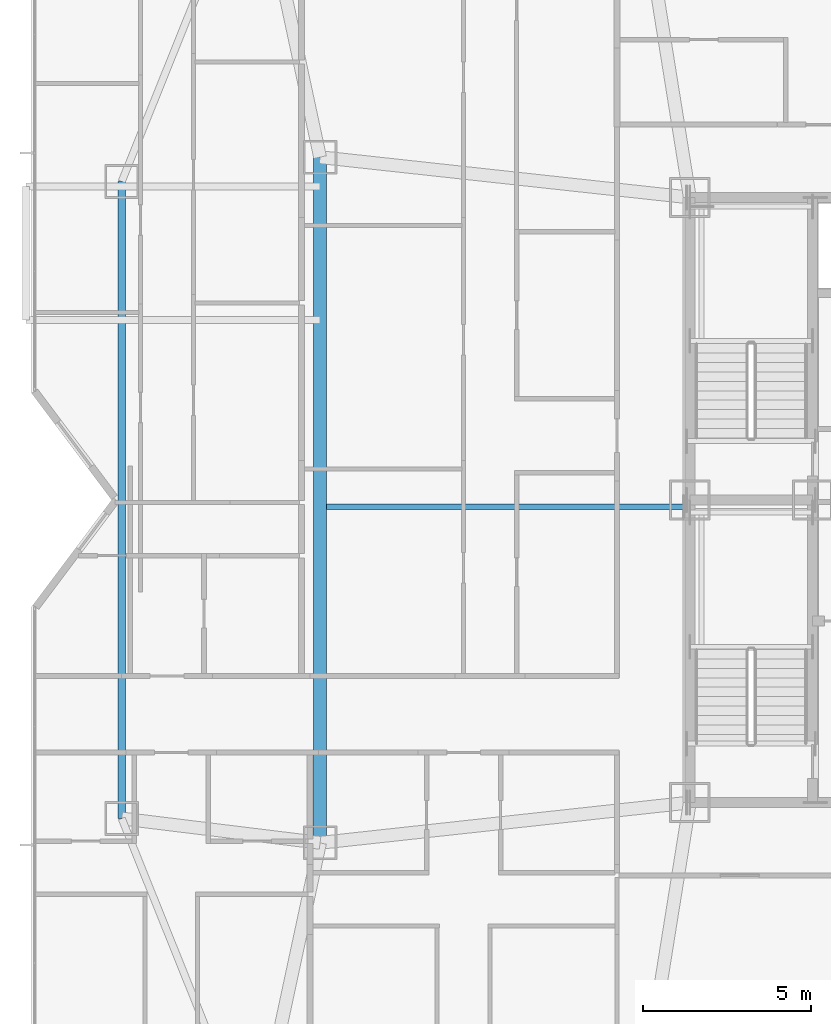
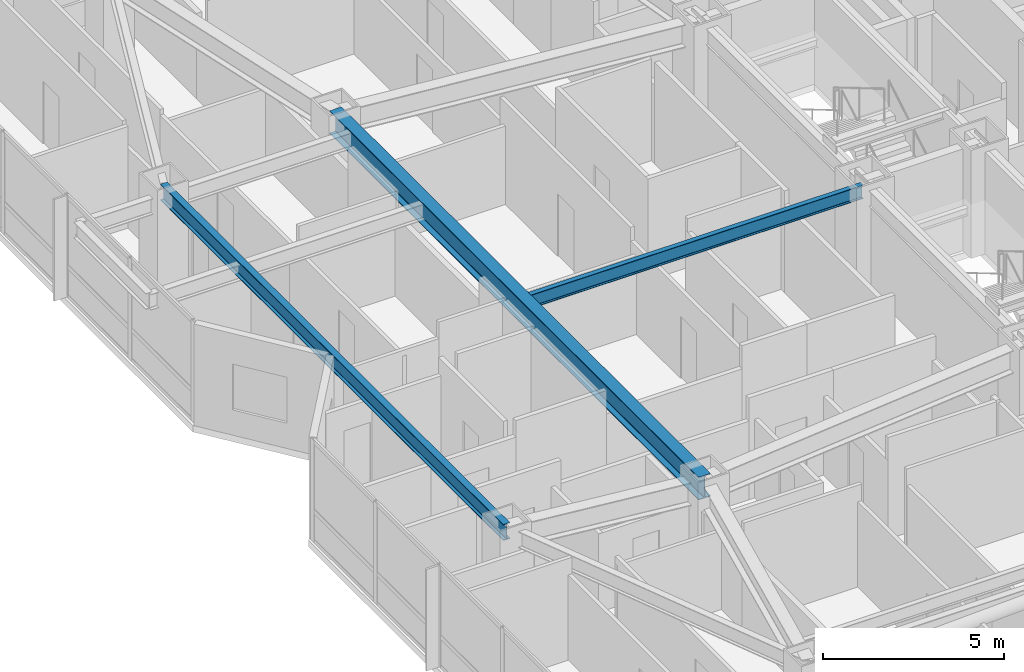
# One storey, part 7 of 21: 3 beams.
"""IFC4 building model written with IfcOpenShell, lengths in metres."""

from ifc_helpers import new_model, si_unit, direction, frame, origin, origin_2d, place, context, subcontext, project, spatial, i_section, extrude, material, material_profile, profile_set, type_object, element, save


model = new_model("IFC4")

# Units and contexts
model_context = context("Model", 3, precision=1e-05, world=origin(), true_north=direction((0.0, 1.0)))
body_context = subcontext(model_context, "Body", "Model", "MODEL_VIEW")
ifc_project = project(units=[si_unit("LENGTHUNIT", "METRE"), si_unit("AREAUNIT", "SQUARE_METRE"), si_unit("VOLUMEUNIT", "CUBIC_METRE"), si_unit("PLANEANGLEUNIT", "RADIAN"), si_unit("MASSUNIT", "GRAM", prefix="KILO")], contexts=[model_context])

# Site, building, storey
site_placement = place(None, origin())
site = spatial("IfcSite", under=ifc_project, at=site_placement, CompositionType="ELEMENT")
building_placement = place(site_placement, origin())
building = spatial("IfcBuilding", under=site, at=building_placement, Name="Khamvora Tower", CompositionType="ELEMENT")
storey_placement = place(building_placement, frame((0.0, 0.0, 98.25)))
storey = spatial("IfcBuildingStorey", under=building, at=storey_placement, Name="L24", CompositionType="ELEMENT", Elevation=98.25)

# Beams
ifc_material = material(Name="Steel S355", Category="steel")
ifc_material_profile_1 = material_profile(ifc_material, i_section(OverallWidth=0.154052734375, OverallDepth=0.458984375, WebThickness=0.009033203125, FlangeThickness=0.014892578125, FilletRadius=0.011962890625, at=origin_2d()), Name="W460x68")
ifc_profile_set_1 = profile_set([ifc_material_profile_1], Name="Steel S355")
beam_type_1 = type_object("IfcBeamType", Name="BM-JS-W460x68", PredefinedType="JOIST", material=ifc_profile_set_1)
beam_1_placement = place(storey_placement, frame((18.18603515625, 27.800048828125, 3.200927734375), z_axis=(1.0, 0.0, 0.0), x_axis=(0.0, 1.0, 0.0)))
element("IfcBeam", 1, at=beam_1_placement, inside=storey, type_object=beam_type_1, Name="L24 secondary floor joist 04", PredefinedType="JOIST", context=body_context, shape_type="SweptSolid", body=[
    extrude(i_section(OverallWidth=0.154052734375, OverallDepth=0.458984375, WebThickness=0.009033203125, FlangeThickness=0.014892578125, FilletRadius=0.011962890625, at=origin_2d()), origin(), (0.0, 0.0, 1.0), 10.614013671875),
])
ifc_material_profile_2 = material_profile(ifc_material, i_section(OverallWidth=0.381103515625, OverallDepth=0.77294921875, WebThickness=0.01708984375, FlangeThickness=0.027099609375, FilletRadius=0.01806640625, at=origin_2d()), Name="W760x257")
ifc_profile_set_2 = profile_set([ifc_material_profile_2], Name="Steel S355")
beam_type_2 = type_object("IfcBeamType", Name="BM-PG-W760x257", PredefinedType="BEAM", material=ifc_profile_set_2)
beam_2_placement = place(storey_placement, frame((18.0, 17.800048828125, 3.0439453125), z_axis=(0.0, 1.0, 0.0), x_axis=(-1.0, 0.0, 0.0)))
element("IfcBeam", 2, at=beam_2_placement, inside=storey, type_object=beam_type_2, Name="L24 longitudinal frame girder MW1-MW2", PredefinedType="BEAM", context=body_context, shape_type="SweptSolid", body=[
    extrude(i_section(OverallWidth=0.381103515625, OverallDepth=0.77294921875, WebThickness=0.01708984375, FlangeThickness=0.027099609375, FilletRadius=0.01806640625, at=origin_2d()), origin(), (0.0, 0.0, 1.0), 20.39990234375),
])
ifc_material_profile_3 = material_profile(ifc_material, i_section(OverallWidth=0.2119140625, OverallDepth=0.5439453125, WebThickness=0.012939453125, FlangeThickness=0.02099609375, FilletRadius=0.013916015625, at=origin_2d()), Name="W530x123")
ifc_profile_set_3 = profile_set([ifc_material_profile_3], Name="Steel S355")
beam_type_3 = type_object("IfcBeamType", Name="BM-SP-W530x123", PredefinedType="SPANDREL", material=ifc_profile_set_3)
beam_3_placement = place(storey_placement, frame((12.10009765625, 37.47509765625, 3.157958984375), z_axis=(0.0, -1.0, 0.0), x_axis=(1.0, 0.0, 0.0)))
element("IfcBeam", 3, at=beam_3_placement, inside=storey, type_object=beam_type_3, Name="L24 perimeter spandrel beam W2-W1", PredefinedType="SPANDREL", context=body_context, shape_type="SweptSolid", body=[
    extrude(i_section(OverallWidth=0.2119140625, OverallDepth=0.5439453125, WebThickness=0.012939453125, FlangeThickness=0.02099609375, FilletRadius=0.013916015625, at=origin_2d()), origin(), (0.0, 0.0, 1.0), 18.9501953125),
])

save(model, "model.ifc")
